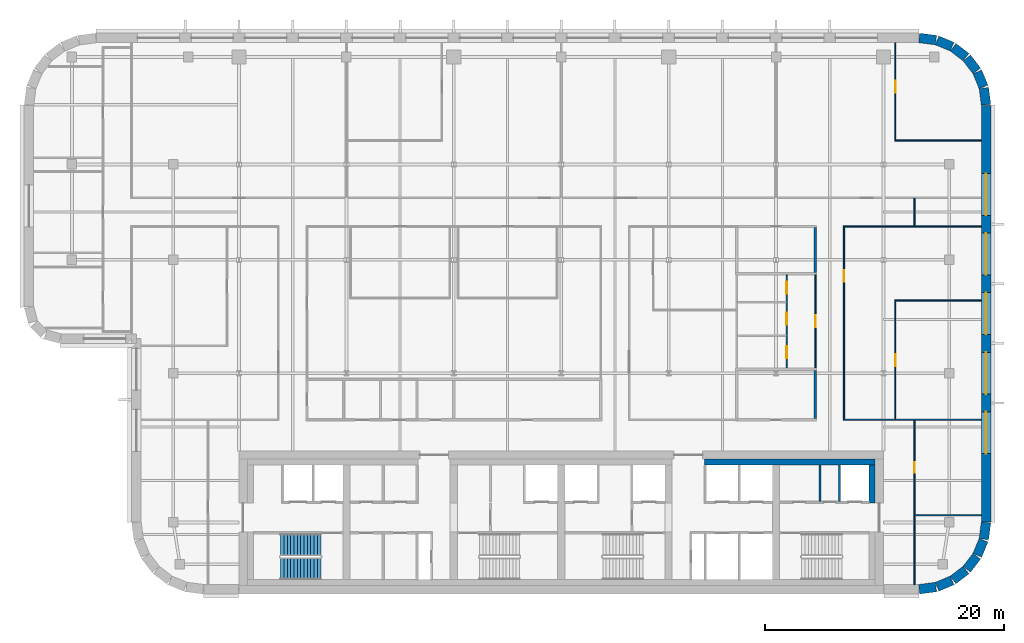
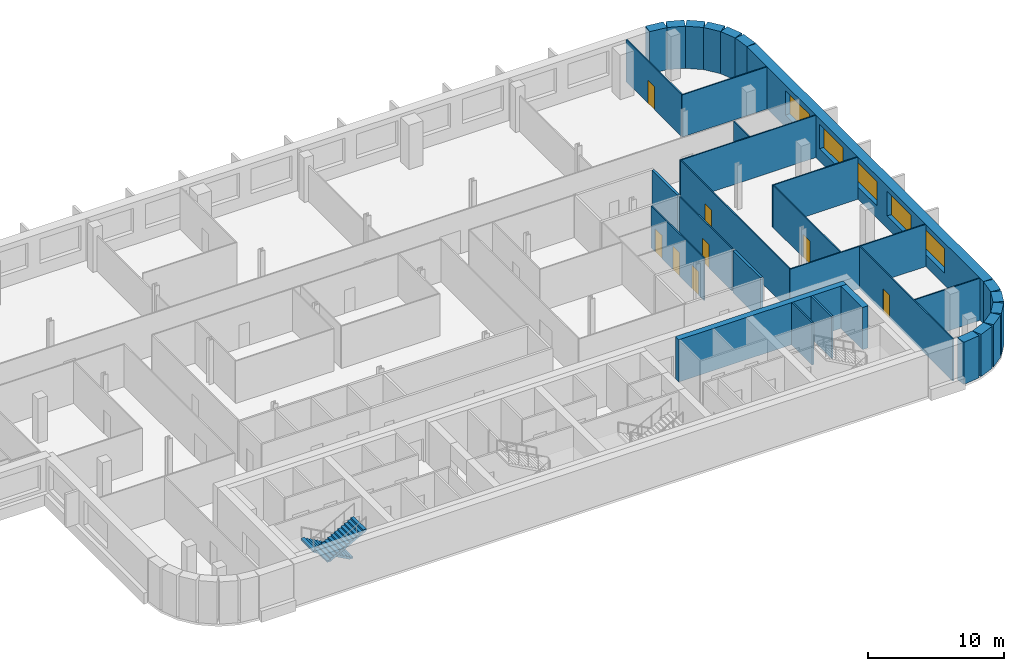
# One storey, part 12 of 17: 31 walls, 8 doors, 5 windows, 2 stair flights, 13 openings, 1 element without a shape of its own.
"""IFC4 building model written with IfcOpenShell, lengths in metres."""

from ifc_helpers import new_model, si_unit, direction, frame, frame_2d, origin, place, context, subcontext, project, spatial, polyline, rectangle, outline, extrude, material, layer, layer_set, type_object, element, fill, aggregate, save


model = new_model("IFC4")

# Units and contexts
model_context = context("Model", 3, precision=1e-05, world=origin(), true_north=direction((0.0, 1.0)))
body_context = subcontext(model_context, "Body", "Model", "MODEL_VIEW")
ifc_project = project(units=[si_unit("LENGTHUNIT", "METRE"), si_unit("AREAUNIT", "SQUARE_METRE"), si_unit("VOLUMEUNIT", "CUBIC_METRE"), si_unit("PLANEANGLEUNIT", "RADIAN"), si_unit("MASSUNIT", "GRAM", prefix="KILO")], contexts=[model_context])

# Site, building, storey
site_placement = place(None, origin())
site = spatial("IfcSite", under=ifc_project, at=site_placement, CompositionType="ELEMENT")
building_placement = place(site_placement, origin())
building = spatial("IfcBuilding", under=site, at=building_placement, Name="Zellij Exchange Tower", CompositionType="ELEMENT")
storey_placement = place(building_placement, frame((0.0, 0.0, 224.5)))
storey = spatial("IfcBuildingStorey", under=building, at=storey_placement, Name="L52", CompositionType="ELEMENT", Elevation=224.5)

# Walls
ifc_material_1 = material(Name="Concrete C30/37", Category="concrete")
ifc_layer_1 = layer(ifc_material_1, 0.5)
ifc_layer_set_1 = layer_set([ifc_layer_1], Name="Concrete C30/37")
wall_type_1 = type_object("IfcWallType", Name="CORE-LW 500 C30/37", PredefinedType="SHEAR", material=ifc_layer_set_1)
wall_1_placement = place(storey_placement, frame((12.0, -2.949951171875, 0.0), z_axis=(0.0, 0.0, 1.0), x_axis=(1.0, 0.0, 0.0)))
element("IfcWall", 1, at=wall_1_placement, inside=storey, type_object=wall_type_1, Name="Core wall lining front.2 L52", PredefinedType="SHEAR", context=body_context, shape_type="SweptSolid", body=[
    extrude(rectangle(XDim=14.300048828125, YDim=0.5, at=frame_2d((7.14990234375, 0.0))), origin(), (0.0, 0.0, 1.0), 3.800048828125),
])
wall_2_placement = place(storey_placement, frame((26.050048828125, -6.375, 0.0), z_axis=(0.0, 0.0, 1.0), x_axis=(0.0, 1.0, 0.0)))
element("IfcWall", 2, at=wall_2_placement, inside=storey, type_object=wall_type_1, Name="Core wall lining end e.1 L52", PredefinedType="SHEAR", context=body_context, shape_type="SweptSolid", body=[
    extrude(rectangle(XDim=3.175048828125, YDim=0.5, at=frame_2d((1.58740234375, 0.0))), origin(), (0.0, 0.0, 1.0), 3.800048828125),
])
ifc_material_2 = material(Name="Gypsum board partition")
ifc_layer_2 = layer(ifc_material_2, 0.14990234375)
ifc_layer_set_2 = layer_set([ifc_layer_2], Name="Gypsum board partition")
wall_type_2 = type_object("IfcWallType", Name="CORE-PW 150 Lift lobby wall", PredefinedType="PARTITIONING", material=ifc_layer_set_2)
wall_3_placement = place(storey_placement, frame((21.675048828125, -6.22509765625, 0.0), z_axis=(0.0, 0.0, 1.0), x_axis=(0.0, 1.0, 0.0)))
element("IfcWall", 3, at=wall_3_placement, inside=storey, type_object=wall_type_2, Name="Lift lobby wall L52", PredefinedType="PARTITIONING", context=body_context, shape_type="SweptSolid", body=[
    extrude(rectangle(XDim=3.025146484375, YDim=0.14990234375, at=frame_2d((1.5126953125, 0.0))), origin(), (0.0, 0.0, 1.0), 3.800048828125),
])
ifc_material_3 = material(Name="Gypsum shaft wall system")
ifc_layer_3 = layer(ifc_material_3, 0.14990234375)
ifc_layer_set_3 = layer_set([ifc_layer_3], Name="Gypsum shaft wall system")
wall_type_3 = type_object("IfcWallType", Name="CORE-PW 150 Lift shaft wall", PredefinedType="PARTITIONING", material=ifc_layer_set_3)
wall_4_placement = place(storey_placement, frame((23.324951171875, -6.22509765625, 0.0), z_axis=(0.0, 0.0, 1.0), x_axis=(0.0, 1.0, 0.0)))
element("IfcWall", 4, at=wall_4_placement, inside=storey, type_object=wall_type_3, Name="Lift shaft wall L52", PredefinedType="PARTITIONING", context=body_context, shape_type="SweptSolid", body=[
    extrude(rectangle(XDim=3.025146484375, YDim=0.14990234375, at=frame_2d((1.5126953125, 0.0))), origin(), (0.0, 0.0, 1.0), 3.800048828125),
])
ifc_material_4 = material(Name="Precast concrete C40/50", Category="concrete")
ifc_layer_4 = layer(ifc_material_4, 0.800048828125)
ifc_layer_set_4 = layer_set([ifc_layer_4], Name="Precast concrete C40/50")
wall_type_4 = type_object("IfcWallType", Name="ENV-EW1 Precast stone-piered wall 800", PredefinedType="SOLIDWALL", material=ifc_layer_set_4)
wall_5_placement = place(storey_placement, frame((29.999755859375, -13.5966796875, 0.0), z_axis=(0.0, 0.0, 1.0), x_axis=(0.99144603414, 0.130517283865, 0.0)))
element("IfcWall", 5, at=wall_5_placement, inside=storey, type_object=wall_type_4, Name="fac.L52.01", PredefinedType="SOLIDWALL", context=body_context, shape_type="SweptSolid", body=[
    extrude(rectangle(XDim=1.408447265625, YDim=0.800048828125, at=frame_2d((0.7041015625, 0.0))), origin(), (0.0, 0.0, 1.0), 3.800048828125),
])
wall_6_placement = place(storey_placement, frame((31.497314453125, -13.3857421875, 0.0), z_axis=(0.0, 0.0, 1.0), x_axis=(0.923847774587, 0.38276009378, 0.0)))
element("IfcWall", 6, at=wall_6_placement, inside=storey, type_object=wall_type_4, Name="fac.L52.02", PredefinedType="SOLIDWALL", context=body_context, shape_type="SweptSolid", body=[
    extrude(rectangle(XDim=1.35546875, YDim=0.800048828125, at=frame_2d((0.677734375, 0.0))), origin(), (0.0, 0.0, 1.0), 3.800048828125),
])
for number, where, z_axis, x_axis, name in (
    (7, (32.840087890625, -12.814697265625, 0.0), (0.0, 0.0, 1.0), (0.793272915452, 0.608866226366, 0.0), "fac.L52.03"),
    (8, (33.9892578125, -11.91552734375, 0.0), (0.0, 0.0, 1.0), (0.608866226366, 0.793272915452, 0.0), "fac.L52.04"),
):
    element("IfcWall", number, at=place(storey_placement, frame(where, z_axis=z_axis, x_axis=x_axis)), inside=storey, type_object=wall_type_4, Name=name, PredefinedType="SOLIDWALL", context=body_context, shape_type="SweptSolid", body=[
        extrude(rectangle(XDim=1.355712890625, YDim=0.800048828125, at=frame_2d((0.677734375, 0.0))), origin(), (0.0, 0.0, 1.0), 3.800048828125),
    ])
wall_7_placement = place(storey_placement, frame((34.866943359375, -10.74951171875, 0.0), z_axis=(0.0, 0.0, 1.0), x_axis=(0.38276009378, 0.923847774587, 0.0)))
element("IfcWall", 9, at=wall_7_placement, inside=storey, type_object=wall_type_4, Name="fac.L52.05", PredefinedType="SOLIDWALL", context=body_context, shape_type="SweptSolid", body=[
    extrude(rectangle(XDim=1.35546875, YDim=0.800048828125, at=frame_2d((0.677734375, 0.0))), origin(), (0.0, 0.0, 1.0), 3.800048828125),
])
wall_8_placement = place(storey_placement, frame((35.412841796875, -9.396240234375, 0.0), z_axis=(0.0, 0.0, 1.0), x_axis=(0.130517283865, 0.99144603414, 0.0)))
element("IfcWall", 10, at=wall_8_placement, inside=storey, type_object=wall_type_4, Name="fac.L52.06", PredefinedType="SOLIDWALL", context=body_context, shape_type="SweptSolid", body=[
    extrude(rectangle(XDim=1.408447265625, YDim=0.800048828125, at=frame_2d((0.7041015625, 0.0))), origin(), (0.0, 0.0, 1.0), 3.800048828125),
])

# Wall, openings, windows
wall_9_placement = place(storey_placement, frame((35.60009765625, -7.947509765625, 0.0), z_axis=(0.0, 0.0, 1.0), x_axis=(0.0, 1.0, 0.0)))
wall_9 = element("IfcWall", 11, at=wall_9_placement, inside=storey, type_object=wall_type_4, Name="fac.L52.07", PredefinedType="SOLIDWALL", context=body_context, shape_type="SweptSolid", body=[
    extrude(rectangle(XDim=34.89501953125, YDim=0.800048828125, at=frame_2d((17.447509765625, 0.0))), origin(), (0.0, 0.0, 1.0), 3.800048828125),
])
opening_1_placement = place(wall_9_placement, frame((5.71240234375, 0.0, 1.10009765625)))
opening_1 = element("IfcOpeningElement", 12, at=opening_1_placement, cuts=wall_9, Name="Opening FZ4.01", PredefinedType="OPENING", context=body_context, shape_type="SweptSolid", body=[
    extrude(rectangle(XDim=3.5, YDim=2.199951171875, at=frame_2d((1.75, 1.10009765625))), frame((0.0, 0.412109375, 0.0), z_axis=(0.0, -1.0, 0.0), x_axis=(1.0, 0.0, 0.0)), (0.0, 0.0, 1.0), 0.823974609375),
])
opening_2_placement = place(wall_9_placement, frame((10.705078125, 0.0, 1.10009765625)))
opening_2 = element("IfcOpeningElement", 13, at=opening_2_placement, cuts=wall_9, Name="Opening FZ4.02", PredefinedType="OPENING", context=body_context, shape_type="SweptSolid", body=[
    extrude(rectangle(XDim=3.5, YDim=2.199951171875, at=frame_2d((1.75, 1.10009765625))), frame((0.0, 0.412109375, 0.0), z_axis=(0.0, -1.0, 0.0), x_axis=(1.0, 0.0, 0.0)), (0.0, 0.0, 1.0), 0.823974609375),
])
opening_3_placement = place(wall_9_placement, frame((15.697509765625, 0.0, 1.10009765625)))
opening_3 = element("IfcOpeningElement", 14, at=opening_3_placement, cuts=wall_9, Name="Opening FZ4.03", PredefinedType="OPENING", context=body_context, shape_type="SweptSolid", body=[
    extrude(rectangle(XDim=3.5, YDim=2.199951171875, at=frame_2d((1.75, 1.10009765625))), frame((0.0, 0.412109375, 0.0), z_axis=(0.0, -1.0, 0.0), x_axis=(1.0, 0.0, 0.0)), (0.0, 0.0, 1.0), 0.823974609375),
])
opening_4_placement = place(wall_9_placement, frame((20.690185546875, 0.0, 1.10009765625)))
opening_4 = element("IfcOpeningElement", 15, at=opening_4_placement, cuts=wall_9, Name="Opening FZ4.04", PredefinedType="OPENING", context=body_context, shape_type="SweptSolid", body=[
    extrude(rectangle(XDim=3.5, YDim=2.199951171875, at=frame_2d((1.75, 1.10009765625))), frame((0.0, 0.412109375, 0.0), z_axis=(0.0, -1.0, 0.0), x_axis=(1.0, 0.0, 0.0)), (0.0, 0.0, 1.0), 0.823974609375),
])
opening_5_placement = place(wall_9_placement, frame((25.6826171875, 0.0, 1.10009765625)))
opening_5 = element("IfcOpeningElement", 16, at=opening_5_placement, cuts=wall_9, Name="Opening FZ4.05", PredefinedType="OPENING", context=body_context, shape_type="SweptSolid", body=[
    extrude(rectangle(XDim=3.5, YDim=2.199951171875, at=frame_2d((1.75, 1.10009765625))), frame((0.0, 0.412109375, 0.0), z_axis=(0.0, -1.0, 0.0), x_axis=(1.0, 0.0, 0.0)), (0.0, 0.0, 1.0), 0.823974609375),
])
ifc_material_5 = material(Name="Aluminium frame with insulating glass", Category="aluminium")
window_type = type_object("IfcWindowType", Name="ENV-W7 Window 3500x2200", PartitioningType="SINGLE_PANEL", PredefinedType="WINDOW", material=ifc_material_5)
window_1_placement = place(opening_1_placement, origin())
window_1 = element("IfcWindow", 17, at=window_1_placement, inside=storey, type_object=window_type, Name="Window FZ4.01", OverallHeight=2.199951171875, OverallWidth=3.5, PartitioningType="SINGLE_PANEL", PredefinedType="WINDOW", context=body_context, shape_type="SweptSolid", body=[
    extrude(rectangle(XDim=3.5, YDim=2.199951171875, at=frame_2d((1.75, 1.10009765625))), frame((0.0, 0.030029296875, 0.0), z_axis=(0.0, -1.0, 0.0), x_axis=(1.0, 0.0, 0.0)), (0.0, 0.0, 1.0), 0.06005859375),
])
fill(opening_1, window_1)
window_2_placement = place(opening_2_placement, origin())
window_2 = element("IfcWindow", 18, at=window_2_placement, inside=storey, type_object=window_type, Name="Window FZ4.02", OverallHeight=2.199951171875, OverallWidth=3.5, PartitioningType="SINGLE_PANEL", PredefinedType="WINDOW", context=body_context, shape_type="SweptSolid", body=[
    extrude(rectangle(XDim=3.5, YDim=2.199951171875, at=frame_2d((1.75, 1.10009765625))), frame((0.0, 0.030029296875, 0.0), z_axis=(0.0, -1.0, 0.0), x_axis=(1.0, 0.0, 0.0)), (0.0, 0.0, 1.0), 0.06005859375),
])
fill(opening_2, window_2)
window_3_placement = place(opening_3_placement, origin())
window_3 = element("IfcWindow", 19, at=window_3_placement, inside=storey, type_object=window_type, Name="Window FZ4.03", OverallHeight=2.199951171875, OverallWidth=3.5, PartitioningType="SINGLE_PANEL", PredefinedType="WINDOW", context=body_context, shape_type="SweptSolid", body=[
    extrude(rectangle(XDim=3.5, YDim=2.199951171875, at=frame_2d((1.75, 1.10009765625))), frame((0.0, 0.030029296875, 0.0), z_axis=(0.0, -1.0, 0.0), x_axis=(1.0, 0.0, 0.0)), (0.0, 0.0, 1.0), 0.06005859375),
])
fill(opening_3, window_3)
window_4_placement = place(opening_4_placement, origin())
window_4 = element("IfcWindow", 20, at=window_4_placement, inside=storey, type_object=window_type, Name="Window FZ4.04", OverallHeight=2.199951171875, OverallWidth=3.5, PartitioningType="SINGLE_PANEL", PredefinedType="WINDOW", context=body_context, shape_type="SweptSolid", body=[
    extrude(rectangle(XDim=3.5, YDim=2.199951171875, at=frame_2d((1.75, 1.10009765625))), frame((0.0, 0.030029296875, 0.0), z_axis=(0.0, -1.0, 0.0), x_axis=(1.0, 0.0, 0.0)), (0.0, 0.0, 1.0), 0.06005859375),
])
fill(opening_4, window_4)
window_5_placement = place(opening_5_placement, origin())
window_5 = element("IfcWindow", 21, at=window_5_placement, inside=storey, type_object=window_type, Name="Window FZ4.05", OverallHeight=2.199951171875, OverallWidth=3.5, PartitioningType="SINGLE_PANEL", PredefinedType="WINDOW", context=body_context, shape_type="SweptSolid", body=[
    extrude(rectangle(XDim=3.5, YDim=2.199951171875, at=frame_2d((1.75, 1.10009765625))), frame((0.0, 0.030029296875, 0.0), z_axis=(0.0, -1.0, 0.0), x_axis=(1.0, 0.0, 0.0)), (0.0, 0.0, 1.0), 0.06005859375),
])
fill(opening_5, window_5)

# Walls
wall_10_placement = place(storey_placement, frame((35.5966796875, 26.999755859375, 0.0), z_axis=(0.0, 0.0, 1.0), x_axis=(-0.130517283865, 0.99144603414, 0.0)))
element("IfcWall", 22, at=wall_10_placement, inside=storey, type_object=wall_type_4, Name="fac.L52.08", PredefinedType="SOLIDWALL", context=body_context, shape_type="SweptSolid", body=[
    extrude(rectangle(XDim=1.408447265625, YDim=0.800048828125, at=frame_2d((0.7041015625, 0.0))), origin(), (0.0, 0.0, 1.0), 3.800048828125),
])
wall_11_placement = place(storey_placement, frame((35.3857421875, 28.497314453125, 0.0), z_axis=(0.0, 0.0, 1.0), x_axis=(-0.38276009378, 0.923847774587, 0.0)))
element("IfcWall", 23, at=wall_11_placement, inside=storey, type_object=wall_type_4, Name="fac.L52.09", PredefinedType="SOLIDWALL", context=body_context, shape_type="SweptSolid", body=[
    extrude(rectangle(XDim=1.35546875, YDim=0.800048828125, at=frame_2d((0.677734375, 0.0))), origin(), (0.0, 0.0, 1.0), 3.800048828125),
])
for number, where, z_axis, x_axis, name in (
    (24, (34.814697265625, 29.840087890625, 0.0), (0.0, 0.0, 1.0), (-0.608866226366, 0.793272915452, 0.0), "fac.L52.10"),
    (25, (33.91552734375, 30.9892578125, 0.0), (0.0, 0.0, 1.0), (-0.793272915452, 0.608866226366, 0.0), "fac.L52.11"),
):
    element("IfcWall", number, at=place(storey_placement, frame(where, z_axis=z_axis, x_axis=x_axis)), inside=storey, type_object=wall_type_4, Name=name, PredefinedType="SOLIDWALL", context=body_context, shape_type="SweptSolid", body=[
        extrude(rectangle(XDim=1.355712890625, YDim=0.800048828125, at=frame_2d((0.677734375, 0.0))), origin(), (0.0, 0.0, 1.0), 3.800048828125),
    ])
wall_12_placement = place(storey_placement, frame((32.74951171875, 31.866943359375, 0.0), z_axis=(0.0, 0.0, 1.0), x_axis=(-0.923847774587, 0.38276009378, 0.0)))
element("IfcWall", 26, at=wall_12_placement, inside=storey, type_object=wall_type_4, Name="fac.L52.12", PredefinedType="SOLIDWALL", context=body_context, shape_type="SweptSolid", body=[
    extrude(rectangle(XDim=1.35546875, YDim=0.800048828125, at=frame_2d((0.677734375, 0.0))), origin(), (0.0, 0.0, 1.0), 3.800048828125),
])
wall_13_placement = place(storey_placement, frame((31.396240234375, 32.412841796875, 0.0), z_axis=(0.0, 0.0, 1.0), x_axis=(-0.99144603414, 0.130517283865, 0.0)))
element("IfcWall", 27, at=wall_13_placement, inside=storey, type_object=wall_type_4, Name="fac.L52.13", PredefinedType="SOLIDWALL", context=body_context, shape_type="SweptSolid", body=[
    extrude(rectangle(XDim=1.408447265625, YDim=0.800048828125, at=frame_2d((0.7041015625, 0.0))), origin(), (0.0, 0.0, 1.0), 3.800048828125),
])
ifc_material_6 = material(Name="Blockwork partition", Category="masonry")
ifc_layer_5 = layer(ifc_material_6, 0.199951171875)
ifc_layer_set_5 = layer_set([ifc_layer_5], Name="Blockwork partition")
wall_type_5 = type_object("IfcWallType", Name="FIT-BLOCKWORK-200", PredefinedType="PARTITIONING", material=ifc_layer_set_5)
wall_14_placement = place(storey_placement, frame((21.300048828125, 0.699951171875, 0.0), z_axis=(0.0, 0.0, 1.0), x_axis=(0.0, 1.0, 0.0)))
element("IfcWall", 28, at=wall_14_placement, inside=storey, type_object=wall_type_5, Name="FIT-BLOCKWORK-200 018", PredefinedType="PARTITIONING", context=body_context, shape_type="SweptSolid", body=[
    extrude(rectangle(XDim=4.050048828125, YDim=0.199951171875, at=frame_2d((2.02490234375, 0.0))), origin(), (0.0, 0.0, 1.0), 3.800048828125),
])
wall_15_placement = place(storey_placement, frame((21.300048828125, 12.949951171875, 0.0), z_axis=(0.0, 0.0, 1.0), x_axis=(0.0, 1.0, 0.0)))
element("IfcWall", 29, at=wall_15_placement, inside=storey, type_object=wall_type_5, Name="FIT-BLOCKWORK-200 049", PredefinedType="PARTITIONING", context=body_context, shape_type="SweptSolid", body=[
    extrude(rectangle(XDim=3.75, YDim=0.199951171875, at=frame_2d((1.875, 0.0))), origin(), (0.0, 0.0, 1.0), 3.800048828125),
])

# Wall, opening, door
ifc_material_7 = material(Name="Gypsum board partition on steel studs", Category="steel")
ifc_layer_6 = layer(ifc_material_7, 0.10009765625)
ifc_layer_set_6 = layer_set([ifc_layer_6], Name="Gypsum board partition on steel studs")
wall_type_6 = type_object("IfcWallType", Name="FIT-PARTITION-100", PredefinedType="PARTITIONING", material=ifc_layer_set_6)
wall_16_placement = place(storey_placement, frame((29.60009765625, -13.199951171875, 0.0), z_axis=(0.0, 0.0, 1.0), x_axis=(0.0, 1.0, 0.0)))
wall_16 = element("IfcWall", 30, at=wall_16_placement, inside=storey, type_object=wall_type_6, Name="FIT-PARTITION-100 002", PredefinedType="PARTITIONING", context=body_context, shape_type="SweptSolid", body=[
    extrude(rectangle(XDim=13.75, YDim=0.10009765625, at=frame_2d((6.875, 0.0))), origin(), (0.0, 0.0, 1.0), 3.800048828125),
])
opening_6_placement = place(wall_16_placement, frame((9.35009765625, 0.0, 0.0)))
opening_6 = element("IfcOpeningElement", 31, at=opening_6_placement, cuts=wall_16, Name="Opening O4A.02", PredefinedType="OPENING", context=body_context, shape_type="SweptSolid", body=[
    extrude(rectangle(XDim=0.89990234375, YDim=2.10009765625, at=frame_2d((0.449951171875, 1.050048828125))), frame((0.0, 0.06201171875, 0.0), z_axis=(0.0, -1.0, 0.0), x_axis=(1.0, 0.0, 0.0)), (0.0, 0.0, 1.0), 0.1240234375),
])
ifc_material_8 = material(Name="Timber door set", Category="wood")
door_type_1 = type_object("IfcDoorType", Name="FIT-D1-ROOM-900X2100", OperationType="SINGLE_SWING_LEFT", PredefinedType="DOOR", material=ifc_material_8)
door_1_placement = place(opening_6_placement, origin())
door_1 = element("IfcDoor", 32, at=door_1_placement, inside=storey, type_object=door_type_1, Name="Door O4A.02", OperationType="SINGLE_SWING_LEFT", OverallHeight=2.10009765625, OverallWidth=0.89990234375, PredefinedType="DOOR", context=body_context, shape_type="SweptSolid", body=[
    extrude(rectangle(XDim=0.89990234375, YDim=2.10009765625, at=frame_2d((0.449951171875, 1.050048828125))), frame((0.0, 0.02490234375, 0.0), z_axis=(0.0, -1.0, 0.0), x_axis=(1.0, 0.0, 0.0)), (0.0, 0.0, 1.0), 0.050048828125),
])
fill(opening_6, door_1)

# Walls
wall_17_placement = place(storey_placement, frame((29.64990234375, -7.39990234375, 0.0), z_axis=(0.0, 0.0, 1.0), x_axis=(1.0, 0.0, 0.0)))
element("IfcWall", 33, at=wall_17_placement, inside=storey, type_object=wall_type_6, Name="FIT-PARTITION-100 003", PredefinedType="PARTITIONING", context=body_context, shape_type="SweptSolid", body=[
    extrude(rectangle(XDim=5.550048828125, YDim=0.10009765625, at=frame_2d((2.77490234375, 0.0))), origin(), (0.0, 0.0, 1.0), 3.800048828125),
])
wall_18_placement = place(storey_placement, frame((23.64990234375, 0.60009765625, 0.0), z_axis=(0.0, 0.0, 1.0), x_axis=(1.0, 0.0, 0.0)))
element("IfcWall", 34, at=wall_18_placement, inside=storey, type_object=wall_type_6, Name="FIT-PARTITION-100 019", PredefinedType="PARTITIONING", context=body_context, shape_type="SweptSolid", body=[
    extrude(rectangle(XDim=11.550048828125, YDim=0.10009765625, at=frame_2d((5.77490234375, 0.0))), origin(), (0.0, 0.0, 1.0), 3.800048828125),
])

# Wall, opening, door
wall_19_placement = place(storey_placement, frame((23.699951171875, 0.64990234375, 0.0), z_axis=(0.0, 0.0, 1.0), x_axis=(0.0, 1.0, 0.0)))
wall_19 = element("IfcWall", 35, at=wall_19_placement, inside=storey, type_object=wall_type_6, Name="FIT-PARTITION-100 020", PredefinedType="PARTITIONING", context=body_context, shape_type="SweptSolid", body=[
    extrude(rectangle(XDim=16.10009765625, YDim=0.10009765625, at=frame_2d((8.050048828125, 0.0))), origin(), (0.0, 0.0, 1.0), 3.800048828125),
])
opening_7_placement = place(wall_19_placement, frame((11.5, 0.0, 0.0)))
opening_7 = element("IfcOpeningElement", 36, at=opening_7_placement, cuts=wall_19, Name="Opening O4A.19", PredefinedType="OPENING", context=body_context, shape_type="SweptSolid", body=[
    extrude(rectangle(XDim=1.0, YDim=2.10009765625, at=frame_2d((0.5, 1.050048828125))), frame((0.0, 0.06201171875, 0.0), z_axis=(0.0, -1.0, 0.0), x_axis=(1.0, 0.0, 0.0)), (0.0, 0.0, 1.0), 0.1240234375),
])
door_type_2 = type_object("IfcDoorType", Name="FIT-D2-WIDE-1000X2100", OperationType="SINGLE_SWING_LEFT", PredefinedType="DOOR", material=ifc_material_8)
door_2_placement = place(opening_7_placement, origin())
door_2 = element("IfcDoor", 37, at=door_2_placement, inside=storey, type_object=door_type_2, Name="Door O4A.19", OperationType="SINGLE_SWING_RIGHT", OverallHeight=2.10009765625, OverallWidth=1.0, PredefinedType="DOOR", context=body_context, shape_type="SweptSolid", body=[
    extrude(rectangle(XDim=1.0, YDim=2.10009765625, at=frame_2d((0.5, 1.050048828125))), frame((0.0, 0.02490234375, 0.0), z_axis=(0.0, -1.0, 0.0), x_axis=(1.0, 0.0, 0.0)), (0.0, 0.0, 1.0), 0.050048828125),
])
fill(opening_7, door_2)

wall_20_placement = place(storey_placement, frame((28.0, 0.64990234375, 0.0), z_axis=(0.0, 0.0, 1.0), x_axis=(0.0, 1.0, 0.0)))
wall_20 = element("IfcWall", 38, at=wall_20_placement, inside=storey, type_object=wall_type_6, Name="FIT-PARTITION-100 021", PredefinedType="PARTITIONING", context=body_context, shape_type="SweptSolid", body=[
    extrude(rectangle(XDim=9.900146484375, YDim=0.10009765625, at=frame_2d((4.9501953125, 0.0))), origin(), (0.0, 0.0, 1.0), 3.800048828125),
])
opening_8_placement = place(wall_20_placement, frame((4.449951171875, 0.0, 0.0)))
opening_8 = element("IfcOpeningElement", 39, at=opening_8_placement, cuts=wall_20, Name="Opening O4A.11", PredefinedType="OPENING", context=body_context, shape_type="SweptSolid", body=[
    extrude(rectangle(XDim=1.0, YDim=2.10009765625, at=frame_2d((0.5, 1.050048828125))), frame((0.0, 0.06201171875, 0.0), z_axis=(0.0, -1.0, 0.0), x_axis=(1.0, 0.0, 0.0)), (0.0, 0.0, 1.0), 0.1240234375),
])
door_3_placement = place(opening_8_placement, origin())
door_3 = element("IfcDoor", 40, at=door_3_placement, inside=storey, type_object=door_type_2, Name="Door O4A.11", OperationType="SINGLE_SWING_LEFT", OverallHeight=2.10009765625, OverallWidth=1.0, PredefinedType="DOOR", context=body_context, shape_type="SweptSolid", body=[
    extrude(rectangle(XDim=1.0, YDim=2.10009765625, at=frame_2d((0.5, 1.050048828125))), frame((0.0, 0.02490234375, 0.0), z_axis=(0.0, -1.0, 0.0), x_axis=(1.0, 0.0, 0.0)), (0.0, 0.0, 1.0), 0.050048828125),
])
fill(opening_8, door_3)

# Wall, openings, doors
wall_21_placement = place(storey_placement, frame((18.89990234375, 4.949951171875, 0.0), z_axis=(0.0, 0.0, 1.0), x_axis=(0.0, 1.0, 0.0)))
wall_21 = element("IfcWall", 41, at=wall_21_placement, inside=storey, type_object=wall_type_6, Name="FIT-PARTITION-100 028", PredefinedType="PARTITIONING", context=body_context, shape_type="SweptSolid", body=[
    extrude(rectangle(XDim=7.800048828125, YDim=0.10009765625, at=frame_2d((3.89990234375, 0.0))), origin(), (0.0, 0.0, 1.0), 3.800048828125),
])
opening_9_placement = place(wall_21_placement, frame((0.800048828125, 0.0, 0.0)))
opening_9 = element("IfcOpeningElement", 42, at=opening_9_placement, cuts=wall_21, Name="Opening O4A.12", PredefinedType="OPENING", context=body_context, shape_type="SweptSolid", body=[
    extrude(rectangle(XDim=1.0, YDim=2.10009765625, at=frame_2d((0.5, 1.050048828125))), frame((0.0, 0.06201171875, 0.0), z_axis=(0.0, -1.0, 0.0), x_axis=(1.0, 0.0, 0.0)), (0.0, 0.0, 1.0), 0.1240234375),
])
opening_10_placement = place(wall_21_placement, frame((3.60009765625, 0.0, 0.0)))
opening_10 = element("IfcOpeningElement", 43, at=opening_10_placement, cuts=wall_21, Name="Opening O4A.14", PredefinedType="OPENING", context=body_context, shape_type="SweptSolid", body=[
    extrude(rectangle(XDim=1.0, YDim=2.10009765625, at=frame_2d((0.5, 1.050048828125))), frame((0.0, 0.06201171875, 0.0), z_axis=(0.0, -1.0, 0.0), x_axis=(1.0, 0.0, 0.0)), (0.0, 0.0, 1.0), 0.1240234375),
])
opening_11_placement = place(wall_21_placement, frame((6.199951171875, 0.0, 0.0)))
opening_11 = element("IfcOpeningElement", 44, at=opening_11_placement, cuts=wall_21, Name="Opening O4A.17", PredefinedType="OPENING", context=body_context, shape_type="SweptSolid", body=[
    extrude(rectangle(XDim=1.0, YDim=2.10009765625, at=frame_2d((0.5, 1.050048828125))), frame((0.0, 0.06201171875, 0.0), z_axis=(0.0, -1.0, 0.0), x_axis=(1.0, 0.0, 0.0)), (0.0, 0.0, 1.0), 0.1240234375),
])
door_4_placement = place(opening_9_placement, origin())
door_4 = element("IfcDoor", 45, at=door_4_placement, inside=storey, type_object=door_type_2, Name="Door O4A.12", OperationType="SINGLE_SWING_RIGHT", OverallHeight=2.10009765625, OverallWidth=1.0, PredefinedType="DOOR", context=body_context, shape_type="SweptSolid", body=[
    extrude(rectangle(XDim=1.0, YDim=2.10009765625, at=frame_2d((0.5, 1.050048828125))), frame((0.0, 0.02490234375, 0.0), z_axis=(0.0, -1.0, 0.0), x_axis=(1.0, 0.0, 0.0)), (0.0, 0.0, 1.0), 0.050048828125),
])
fill(opening_9, door_4)
door_5_placement = place(opening_10_placement, origin())
door_5 = element("IfcDoor", 46, at=door_5_placement, inside=storey, type_object=door_type_2, Name="Door O4A.14", OperationType="SINGLE_SWING_LEFT", OverallHeight=2.10009765625, OverallWidth=1.0, PredefinedType="DOOR", context=body_context, shape_type="SweptSolid", body=[
    extrude(rectangle(XDim=1.0, YDim=2.10009765625, at=frame_2d((0.5, 1.050048828125))), frame((0.0, 0.02490234375, 0.0), z_axis=(0.0, -1.0, 0.0), x_axis=(1.0, 0.0, 0.0)), (0.0, 0.0, 1.0), 0.050048828125),
])
fill(opening_10, door_5)
door_6_placement = place(opening_11_placement, origin())
door_6 = element("IfcDoor", 47, at=door_6_placement, inside=storey, type_object=door_type_2, Name="Door O4A.17", OperationType="SINGLE_SWING_LEFT", OverallHeight=2.10009765625, OverallWidth=1.0, PredefinedType="DOOR", context=body_context, shape_type="SweptSolid", body=[
    extrude(rectangle(XDim=1.0, YDim=2.10009765625, at=frame_2d((0.5, 1.050048828125))), frame((0.0, 0.02490234375, 0.0), z_axis=(0.0, -1.0, 0.0), x_axis=(1.0, 0.0, 0.0)), (0.0, 0.0, 1.0), 0.050048828125),
])
fill(opening_11, door_6)

# Wall, opening, door
wall_22_placement = place(storey_placement, frame((21.300048828125, 4.949951171875, 0.0), z_axis=(0.0, 0.0, 1.0), x_axis=(0.0, 1.0, 0.0)))
wall_22 = element("IfcWall", 48, at=wall_22_placement, inside=storey, type_object=wall_type_6, Name="FIT-PARTITION-100 029", PredefinedType="PARTITIONING", context=body_context, shape_type="SweptSolid", body=[
    extrude(rectangle(XDim=7.800048828125, YDim=0.10009765625, at=frame_2d((3.89990234375, 0.0))), origin(), (0.0, 0.0, 1.0), 3.800048828125),
])
opening_12_placement = place(wall_22_placement, frame((3.39990234375, 0.0, 0.0)))
opening_12 = element("IfcOpeningElement", 49, at=opening_12_placement, cuts=wall_22, Name="Opening O4A.13", PredefinedType="OPENING", context=body_context, shape_type="SweptSolid", body=[
    extrude(rectangle(XDim=1.0, YDim=2.10009765625, at=frame_2d((0.5, 1.050048828125))), frame((0.0, 0.06201171875, 0.0), z_axis=(0.0, -1.0, 0.0), x_axis=(1.0, 0.0, 0.0)), (0.0, 0.0, 1.0), 0.1240234375),
])
door_7_placement = place(opening_12_placement, origin())
door_7 = element("IfcDoor", 50, at=door_7_placement, inside=storey, type_object=door_type_2, Name="Door O4A.13", OperationType="SINGLE_SWING_RIGHT", OverallHeight=2.10009765625, OverallWidth=1.0, PredefinedType="DOOR", context=body_context, shape_type="SweptSolid", body=[
    extrude(rectangle(XDim=1.0, YDim=2.10009765625, at=frame_2d((0.5, 1.050048828125))), frame((0.0, 0.02490234375, 0.0), z_axis=(0.0, -1.0, 0.0), x_axis=(1.0, 0.0, 0.0)), (0.0, 0.0, 1.0), 0.050048828125),
])
fill(opening_12, door_7)

# Walls
wall_23_placement = place(storey_placement, frame((27.949951171875, 10.60009765625, 0.0), z_axis=(0.0, 0.0, 1.0), x_axis=(1.0, 0.0, 0.0)))
element("IfcWall", 51, at=wall_23_placement, inside=storey, type_object=wall_type_6, Name="FIT-PARTITION-100 040", PredefinedType="PARTITIONING", context=body_context, shape_type="SweptSolid", body=[
    extrude(rectangle(XDim=7.25, YDim=0.10009765625, at=frame_2d((3.625, 0.0))), origin(), (0.0, 0.0, 1.0), 3.800048828125),
])
wall_24_placement = place(storey_placement, frame((23.64990234375, 16.800048828125, 0.0), z_axis=(0.0, 0.0, 1.0), x_axis=(1.0, 0.0, 0.0)))
element("IfcWall", 52, at=wall_24_placement, inside=storey, type_object=wall_type_6, Name="FIT-PARTITION-100 056", PredefinedType="PARTITIONING", context=body_context, shape_type="SweptSolid", body=[
    extrude(rectangle(XDim=11.550048828125, YDim=0.10009765625, at=frame_2d((5.77490234375, 0.0))), origin(), (0.0, 0.0, 1.0), 3.800048828125),
])
wall_25_placement = place(storey_placement, frame((29.60009765625, 16.85009765625, 0.0), z_axis=(0.0, 0.0, 1.0), x_axis=(0.0, 1.0, 0.0)))
element("IfcWall", 53, at=wall_25_placement, inside=storey, type_object=wall_type_6, Name="FIT-PARTITION-100 057", PredefinedType="PARTITIONING", context=body_context, shape_type="SweptSolid", body=[
    extrude(rectangle(XDim=2.2998046875, YDim=0.10009765625, at=frame_2d((1.14990234375, 0.0))), origin(), (0.0, 0.0, 1.0), 3.800048828125),
])
wall_26_placement = place(storey_placement, frame((27.949951171875, 24.0, 0.0), z_axis=(0.0, 0.0, 1.0), x_axis=(1.0, 0.0, 0.0)))
element("IfcWall", 54, at=wall_26_placement, inside=storey, type_object=wall_type_6, Name="FIT-PARTITION-100 073", PredefinedType="PARTITIONING", context=body_context, shape_type="SweptSolid", body=[
    extrude(rectangle(XDim=7.25, YDim=0.10009765625, at=frame_2d((3.625, 0.0))), origin(), (0.0, 0.0, 1.0), 3.800048828125),
])

# Wall, opening, door
wall_27_placement = place(storey_placement, frame((28.0, 24.050048828125, 0.0), z_axis=(0.0, 0.0, 1.0), x_axis=(0.0, 1.0, 0.0)))
wall_27 = element("IfcWall", 55, at=wall_27_placement, inside=storey, type_object=wall_type_6, Name="FIT-PARTITION-100 074", PredefinedType="PARTITIONING", context=body_context, shape_type="SweptSolid", body=[
    extrude(rectangle(XDim=8.14990234375, YDim=0.10009765625, at=frame_2d((4.074951171875, 0.0))), origin(), (0.0, 0.0, 1.0), 3.800048828125),
])
opening_13_placement = place(wall_27_placement, frame((3.949951171875, 0.0, 0.0)))
opening_13 = element("IfcOpeningElement", 56, at=opening_13_placement, cuts=wall_27, Name="Opening O4A.31", PredefinedType="OPENING", context=body_context, shape_type="SweptSolid", body=[
    extrude(rectangle(XDim=1.0, YDim=2.10009765625, at=frame_2d((0.5, 1.050048828125))), frame((0.0, 0.06201171875, 0.0), z_axis=(0.0, -1.0, 0.0), x_axis=(1.0, 0.0, 0.0)), (0.0, 0.0, 1.0), 0.1240234375),
])
door_8_placement = place(opening_13_placement, origin())
door_8 = element("IfcDoor", 57, at=door_8_placement, inside=storey, type_object=door_type_2, Name="Door O4A.31", OperationType="SINGLE_SWING_RIGHT", OverallHeight=2.10009765625, OverallWidth=1.0, PredefinedType="DOOR", context=body_context, shape_type="SweptSolid", body=[
    extrude(rectangle(XDim=1.0, YDim=2.10009765625, at=frame_2d((0.5, 1.050048828125))), frame((0.0, 0.02490234375, 0.0), z_axis=(0.0, -1.0, 0.0), x_axis=(1.0, 0.0, 0.0)), (0.0, 0.0, 1.0), 0.050048828125),
])
fill(opening_13, door_8)

# Stair, stair flights
ifc_material_9 = material(Name="Concrete C40/50", Category="concrete")
stair_type = type_object("IfcStairType", Name="CORE-ST exit stair 1850 wide", PredefinedType="HALF_TURN_STAIR", material=ifc_material_9)
stair_placement = place(storey_placement, origin())
stair = element("IfcStair", 58, at=stair_placement, inside=storey, type_object=stair_type, Name="L52 exit stair ST1", PredefinedType="HALF_TURN_STAIR")
stair_flight_type = type_object("IfcStairFlightType", Name="CORE-SF flight 1850 riser 153.8 going 280", PredefinedType="STRAIGHT", material=ifc_material_9)
stair_flight_1_placement = place(storey_placement, frame((-20.14990234375, -9.875, 0.0), z_axis=(0.0, 0.0, 1.0), x_axis=(-1.0, 0.0, 0.0)))
stair_flight_1 = element("IfcStairFlight", 59, at=stair_flight_1_placement, type_object=stair_flight_type, Name="ST1 flight 1", NumberOfRisers=13, NumberOfTreads=12, PredefinedType="STRAIGHT", RiserHeight=0.153846154, TreadLength=0.28, context=body_context, shape_type="SweptSolid", body=[
    extrude(outline(polyline([(0.0, 0.0), (0.0, 0.15380859375), (0.280029296875, 0.15380859375), (0.280029296875, 0.3076171875), (0.56005859375, 0.3076171875), (0.56005859375, 0.46142578125), (0.840087890625, 0.46142578125), (0.840087890625, 0.615478515625), (1.1201171875, 0.615478515625), (1.1201171875, 0.769287109375), (1.39990234375, 0.769287109375), (1.39990234375, 0.923095703125), (1.679931640625, 0.923095703125), (1.679931640625, 1.076904296875), (1.9599609375, 1.076904296875), (1.9599609375, 1.230712890625), (2.239990234375, 1.230712890625), (2.239990234375, 1.384521484375), (2.52001953125, 1.384521484375), (2.52001953125, 1.53857421875), (2.800048828125, 1.53857421875), (2.800048828125, 1.6923828125), (3.080078125, 1.6923828125), (3.080078125, 1.84619140625), (3.360107421875, 1.84619140625), (3.360107421875, 2.0), (3.360107421875, 1.675048828125), (0.311279296875, 0.0), (0.0, 0.0)])), frame((0.0, 0.925048828125, 0.0), z_axis=(0.0, -1.0, 0.0), x_axis=(1.0, 0.0, 0.0)), (0.0, 0.0, 1.0), 1.85009765625),
])
stair_flight_2_placement = place(storey_placement, frame((-23.510009765625, -11.875, 2.0), z_axis=(0.0, 0.0, 1.0), x_axis=(1.0, 0.0, 0.0)))
stair_flight_2 = element("IfcStairFlight", 60, at=stair_flight_2_placement, type_object=stair_flight_type, Name="ST1 flight 2", NumberOfRisers=13, NumberOfTreads=12, PredefinedType="STRAIGHT", RiserHeight=0.153846154, TreadLength=0.28, context=body_context, shape_type="SweptSolid", body=[
    extrude(outline(polyline([(0.0, 0.0), (0.0, 0.15380859375), (0.280029296875, 0.15380859375), (0.280029296875, 0.3076171875), (0.56005859375, 0.3076171875), (0.56005859375, 0.46142578125), (0.840087890625, 0.46142578125), (0.840087890625, 0.615478515625), (1.1201171875, 0.615478515625), (1.1201171875, 0.769287109375), (1.39990234375, 0.769287109375), (1.39990234375, 0.923095703125), (1.679931640625, 0.923095703125), (1.679931640625, 1.076904296875), (1.9599609375, 1.076904296875), (1.9599609375, 1.230712890625), (2.239990234375, 1.230712890625), (2.239990234375, 1.384521484375), (2.52001953125, 1.384521484375), (2.52001953125, 1.53857421875), (2.800048828125, 1.53857421875), (2.800048828125, 1.6923828125), (3.080078125, 1.6923828125), (3.080078125, 1.84619140625), (3.360107421875, 1.84619140625), (3.360107421875, 2.0), (3.360107421875, 1.675048828125), (0.311279296875, 0.0), (0.0, 0.0)])), frame((0.0, 0.925048828125, 0.0), z_axis=(0.0, -1.0, 0.0), x_axis=(1.0, 0.0, 0.0)), (0.0, 0.0, 1.0), 1.85009765625),
])
aggregate(stair, [stair_flight_1, stair_flight_2])

save(model, "model.ifc")
